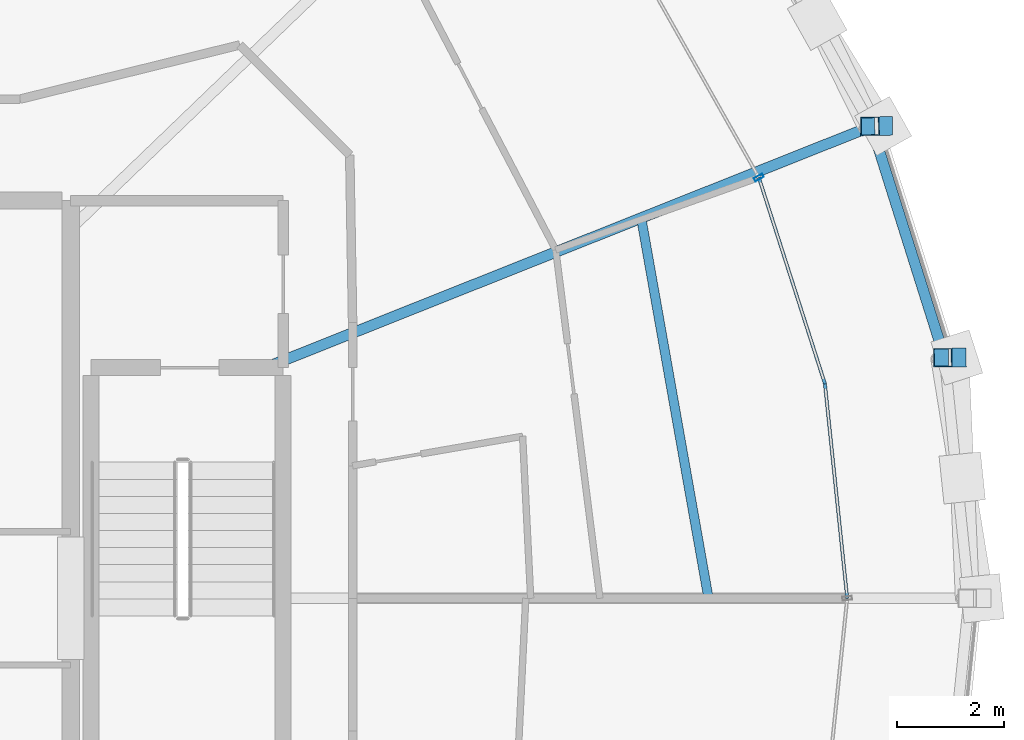
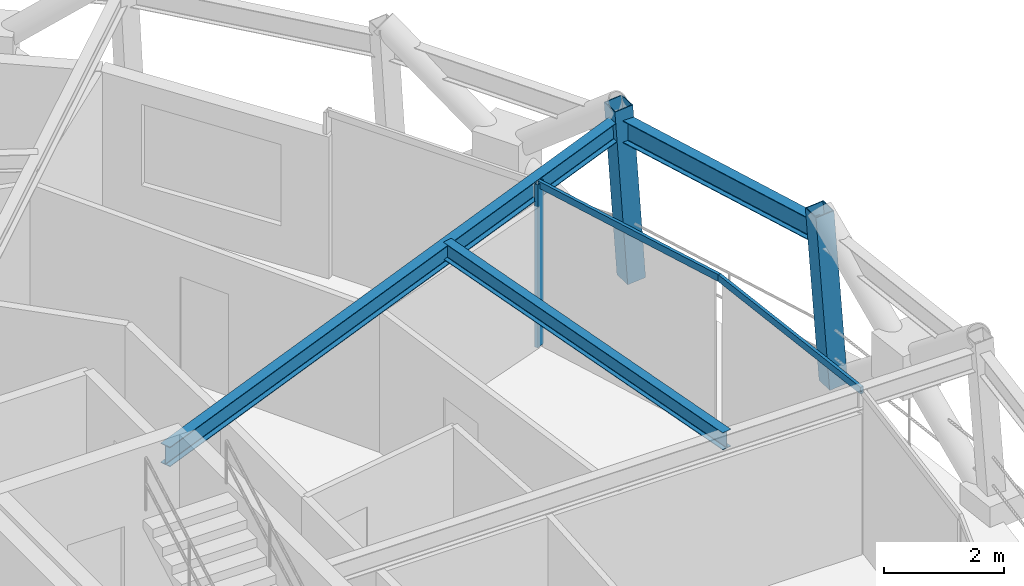
# One storey, part 8 of 18: 5 members, 3 beams, 1 element without a shape of its own.
"""IFC4 building model written with IfcOpenShell, lengths in metres."""

from ifc_helpers import new_model, si_unit, direction, frame, origin, origin_2d, place, context, subcontext, project, spatial, hollow_rectangle, i_section, extrude, material, layer, layer_set, material_profile, profile_set, type_object, element, aggregate, save


model = new_model("IFC4")

# Units and contexts
model_context = context("Model", 3, precision=1e-05, world=origin(), true_north=direction((0.0, 1.0)))
body_context = subcontext(model_context, "Body", "Model", "MODEL_VIEW")
ifc_project = project(units=[si_unit("LENGTHUNIT", "METRE"), si_unit("AREAUNIT", "SQUARE_METRE"), si_unit("VOLUMEUNIT", "CUBIC_METRE"), si_unit("PLANEANGLEUNIT", "RADIAN"), si_unit("MASSUNIT", "GRAM", prefix="KILO")], contexts=[model_context])

# Site, building, storey
site_placement = place(None, origin())
site = spatial("IfcSite", under=ifc_project, at=site_placement, CompositionType="ELEMENT")
building_placement = place(site_placement, origin())
building = spatial("IfcBuilding", under=site, at=building_placement, Name="Veldorina Hangang Commons", CompositionType="ELEMENT")
storey_placement = place(building_placement, frame((0.0, 0.0, 232.800048828125)))
storey = spatial("IfcBuildingStorey", under=building, at=storey_placement, Name="L60", CompositionType="ELEMENT", Elevation=232.800048828125)

# Beams
ifc_material_1 = material(Name="Steel SM355-TMC", Category="steel")
ifc_material_profile_1 = material_profile(ifc_material_1, i_section(OverallWidth=0.199951171875, OverallDepth=0.39990234375, WebThickness=0.008056640625, FlangeThickness=0.012939453125, FilletRadius=0.012939453125, at=origin_2d()), Name="H-400x200x8x13")
ifc_profile_set_1 = profile_set([ifc_material_profile_1], Name="Steel SM355-TMC")
beam_type_1 = type_object("IfcBeamType", Name="BM-FG400", PredefinedType="BEAM", material=ifc_profile_set_1)
beam_1_placement = place(storey_placement, frame((42.84619140625, 28.320068359375, 3.159912109375), z_axis=(0.92902116893, 0.370026576991, 0.0), x_axis=(-0.370026576991, 0.92902116893, 0.0)))
element("IfcBeam", 1, at=beam_1_placement, inside=storey, type_object=beam_type_1, Name="L60 radial floor girder 02", PredefinedType="BEAM", context=body_context, shape_type="SweptSolid", body=[
    extrude(i_section(OverallWidth=0.199951171875, OverallDepth=0.39990234375, WebThickness=0.008056640625, FlangeThickness=0.012939453125, FilletRadius=0.012939453125, at=origin_2d()), origin(), (0.0, 0.0, 1.0), 12.223388671875),
])
ifc_material_profile_2 = material_profile(ifc_material_1, i_section(OverallWidth=0.175048828125, OverallDepth=0.35009765625, WebThickness=0.007080078125, FlangeThickness=0.010986328125, FilletRadius=0.012939453125, at=origin_2d()), Name="H-350x175x7x11")
ifc_profile_set_2 = profile_set([ifc_material_profile_2], Name="Steel SM355-TMC")
beam_type_2 = type_object("IfcBeamType", Name="BM-JST350", PredefinedType="JOIST", material=ifc_profile_set_2)
beam_2_placement = place(storey_placement, frame((51.147705078125, 24.0, 3.18505859375), z_axis=(-0.174289664871, 0.984694426063, 0.0), x_axis=(-0.984694426063, -0.174289664871, 0.0)))
element("IfcBeam", 2, at=beam_2_placement, inside=storey, type_object=beam_type_2, Name="L60 secondary floor joist 01", PredefinedType="JOIST", context=body_context, shape_type="SweptSolid", body=[
    extrude(i_section(OverallWidth=0.175048828125, OverallDepth=0.35009765625, WebThickness=0.007080078125, FlangeThickness=0.010986328125, FilletRadius=0.012939453125, at=origin_2d()), origin(), (0.0, 0.0, 1.0), 7.235107421875),
])
ifc_material_profile_3 = material_profile(ifc_material_1, i_section(OverallWidth=0.199951171875, OverallDepth=0.449951171875, WebThickness=0.009033203125, FlangeThickness=0.013916015625, FilletRadius=0.01611328125, at=origin_2d()), Name="H-450x200x9x14")
ifc_profile_set_3 = profile_set([ifc_material_profile_3], Name="Steel SM355-TMC")
beam_type_3 = type_object("IfcBeamType", Name="BM-RB450", PredefinedType="BEAM", material=ifc_profile_set_3)
beam_3_placement = place(storey_placement, frame((55.5693359375, 28.508056640625, 3.135009765625), z_axis=(-0.300830603125, 0.95367759134, 0.0), x_axis=(-0.95367759134, -0.300830603125, 0.0)))
element("IfcBeam", 3, at=beam_3_placement, inside=storey, type_object=beam_type_3, Name="L60 perimeter hoop ring beam 01", PredefinedType="BEAM", context=body_context, shape_type="SweptSolid", body=[
    extrude(i_section(OverallWidth=0.199951171875, OverallDepth=0.449951171875, WebThickness=0.009033203125, FlangeThickness=0.013916015625, FilletRadius=0.01611328125, at=origin_2d()), origin(), (0.0, 0.0, 1.0), 4.54541015625),
])

# Curtain wall, members
ifc_material_2 = material(Name="Glass Low-E Selective", Category="glass")
ifc_layer = layer(ifc_material_2, 0.179931640625)
ifc_layer_set = layer_set([ifc_layer], Name="Glass Low-E Selective")
curtain_wall_type = type_object("IfcCurtainWallType", Name="CW-SYS-Z3", PredefinedType="NOTDEFINED", material=ifc_layer_set)
curtain_wall_placement = place(storey_placement, origin())
curtain_wall = element("IfcCurtainWall", 4, at=curtain_wall_placement, inside=storey, type_object=curtain_wall_type, Name="L60 unitised curtain wall CW-L60-R2", PredefinedType="NOTDEFINED")
ifc_material_3 = material(Name="Aluminium Anodized AA6063-T6", Category="aluminium")
ifc_material_profile_4 = material_profile(ifc_material_3, hollow_rectangle(XDim=0.070068359375, YDim=0.179931640625, WallThickness=0.00390625, at=origin_2d()), Name="ALU-RHS-180x70x4")
ifc_profile_set_4 = profile_set([ifc_material_profile_4], Name="Aluminium Anodized AA6063-T6")
member_type_1 = type_object("IfcMemberType", Name="CW-MUL-180", PredefinedType="MULLION", material=ifc_profile_set_4)
member_1_placement = place(storey_placement, frame((52.090576171875, 31.882568359375, 0.0), z_axis=(0.0, 0.0, 1.0), x_axis=(-0.49145105646, 0.870905195245, 0.0)))
member_1 = element("IfcMember", 5, at=member_1_placement, type_object=member_type_1, Name="CW-L60-R2 vertical mullion 3", PredefinedType="MULLION", context=body_context, shape_type="SweptSolid", body=[
    extrude(hollow_rectangle(XDim=0.070068359375, YDim=0.179931640625, WallThickness=0.00390625, at=origin_2d()), origin(), (0.0, 0.0, 1.0), 3.320068359375),
])
ifc_material_profile_5 = material_profile(ifc_material_3, hollow_rectangle(XDim=0.06005859375, YDim=0.139892578125, WallThickness=0.00341796875, at=origin_2d()), Name="ALU-RHS-140x60x3.5")
ifc_profile_set_5 = profile_set([ifc_material_profile_5], Name="Aluminium Anodized AA6063-T6")
member_type_2 = type_object("IfcMemberType", Name="CW-TRN-140", PredefinedType="USERDEFINED", material=ifc_profile_set_5)
member_2_placement = place(storey_placement, frame((53.745849609375, 24.0, 3.280029296875), z_axis=(-0.103391873411, 0.994640699204, 0.0), x_axis=(-0.994640699204, -0.103391873411, 0.0)))
member_2 = element("IfcMember", 6, at=member_2_placement, type_object=member_type_2, Name="CW-L60-R2 facet 3 transom 1", ObjectType="TRANSOM", PredefinedType="USERDEFINED", context=body_context, shape_type="SweptSolid", body=[
    extrude(hollow_rectangle(XDim=0.06005859375, YDim=0.139892578125, WallThickness=0.00341796875, at=origin_2d()), origin(), (0.0, 0.0, 1.0), 4.040283203125),
])
member_3_placement = place(storey_placement, frame((53.328125, 28.0185546875, 3.280029296875), z_axis=(-0.305013699715, 0.952347963187, 0.0), x_axis=(-0.952347963187, -0.305013699715, 0.0)))
member_3 = element("IfcMember", 7, at=member_3_placement, type_object=member_type_2, Name="CW-L60-R2 facet 4 transom 1", ObjectType="TRANSOM", PredefinedType="USERDEFINED", context=body_context, shape_type="SweptSolid", body=[
    extrude(hollow_rectangle(XDim=0.06005859375, YDim=0.139892578125, WallThickness=0.00341796875, at=origin_2d()), origin(), (0.0, 0.0, 1.0), 4.057373046875),
])
aggregate(curtain_wall, [member_1, member_2, member_3])

# Members
ifc_material_profile_6 = material_profile(ifc_material_1, hollow_rectangle(XDim=0.35009765625, YDim=0.35009765625, WallThickness=0.01611328125, at=origin_2d()), Name="SHS-350x350x16")
ifc_profile_set_6 = profile_set([ifc_material_profile_6], Name="Steel SM355-TMC")
member_type_3 = type_object("IfcMemberType", Name="STR-SHS350", PredefinedType="STRUT", material=ifc_profile_set_6)
member_4_placement = place(storey_placement, frame((55.799560546875, 28.510009765625, 0.0), z_axis=(-0.073251294399, -0.000608736519, 0.997313329555), x_axis=(0.008309962368, -0.999965471667, 0.0)))
element("IfcMember", 8, at=member_4_placement, inside=storey, type_object=member_type_3, Name="L60 perimeter ring node post 01", PredefinedType="STRUT", context=body_context, shape_type="SweptSolid", body=[
    extrude(hollow_rectangle(XDim=0.35009765625, YDim=0.35009765625, WallThickness=0.01611328125, at=origin_2d()), origin(), (0.0, 0.0, 1.0), 3.609619140625),
])
member_5_placement = place(storey_placement, frame((54.418701171875, 32.846923828125, 0.0), z_axis=(-0.069011011957, -0.001285499242, 0.997615069914), x_axis=(0.018624220127, -0.999826554171, 0.0)))
element("IfcMember", 9, at=member_5_placement, inside=storey, type_object=member_type_3, Name="L60 perimeter ring node post 02", PredefinedType="STRUT", context=body_context, shape_type="SweptSolid", body=[
    extrude(hollow_rectangle(XDim=0.35009765625, YDim=0.35009765625, WallThickness=0.01611328125, at=origin_2d()), origin(), (0.0, 0.0, 1.0), 3.6083984375),
])

save(model, "model.ifc")
